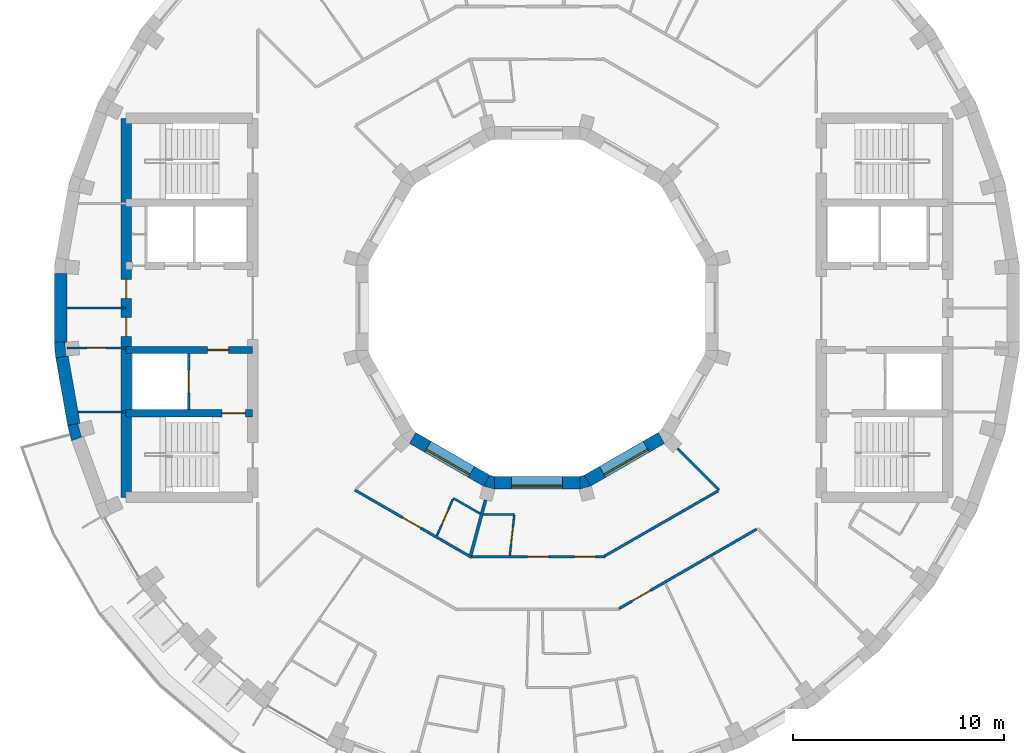
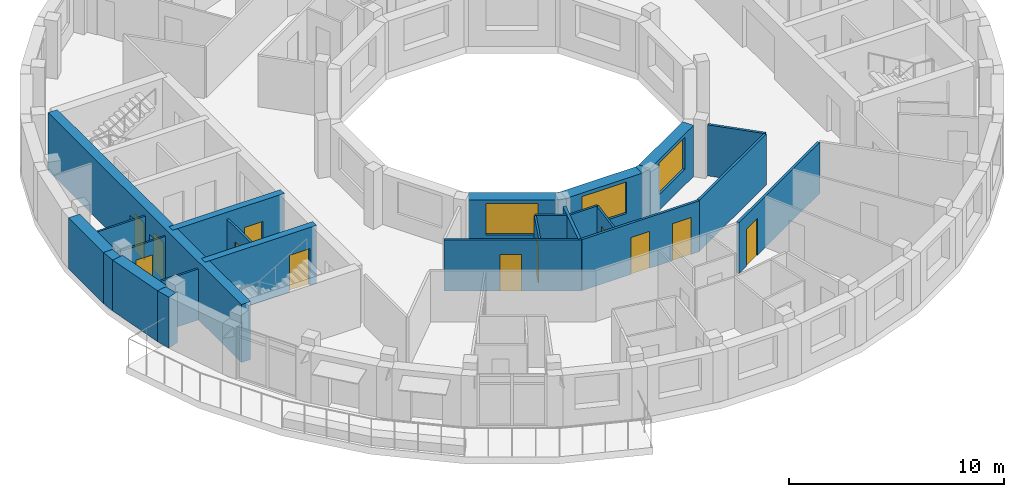
# One storey, part 5 of 12: 26 walls, 12 doors, 3 windows, 15 openings.
"""IFC4 building model written with IfcOpenShell, lengths in metres."""

import ifcopenshell
import ifcopenshell.guid

model = None  # the IFC model being written
_history = None  # IfcOwnerHistory: only IFC2X3 demands one
_inside = {}  # id of a spatial element -> (the spatial element, [elements in it])
_under = {}  # id of a project, library or spatial element -> (it, [spatial elements below it])
_declared = {}  # id of a project -> (the project, [libraries it declares])
_typed = {}  # id of a type object -> (the type object, [elements of that type])
_made_of = {}  # id of a material, layer set ... -> (it, [elements and type objects made of it])


def new_model(schema):
    """Start an empty IFC model of exactly this schema.

    Asked for "IFC4X3", IfcOpenShell would pick the latest addendum, in which some entities
    have other attributes; the version numbers below select the first issue.
    IFC2X3 requires an IfcOwnerHistory on every rooted entity: one is made here for all.
    """
    global model, _history
    if schema == "IFC4X3":
        model = ifcopenshell.file(schema_version=(4, 3, 0, 0))
    else:
        model = ifcopenshell.file(schema=schema)
    _inside.clear()
    _under.clear()
    _declared.clear()
    _typed.clear()
    _made_of.clear()
    _history = None
    if model.schema == "IFC2X3":
        org = make("IfcOrganization", Name="unknown")
        user = make(
            "IfcPersonAndOrganization",
            ThePerson=make("IfcPerson", FamilyName="unknown"),
            TheOrganization=org,
        )
        app = make(
            "IfcApplication",
            ApplicationDeveloper=org,
            Version="unknown",
            ApplicationFullName="unknown",
            ApplicationIdentifier="unknown",
        )
        _history = make(
            "IfcOwnerHistory",
            OwningUser=user,
            OwningApplication=app,
            ChangeAction="ADDED",
            CreationDate=0,
        )
    return model


def make(cls, **values):
    """One entity of the class cls with the attributes given. An attribute that is None is left unset."""
    return model.create_entity(
        cls, **{name: value for name, value in values.items() if value is not None}
    )


def rooted(cls, **values):
    """An entity with a GlobalId (a new one), such as an element, a storey or a relation."""
    return make(cls, GlobalId=ifcopenshell.guid.new(), OwnerHistory=_history, **values)


def si_unit(unit_type, name, prefix=None):
    """IfcSIUnit, for example si_unit("LENGTHUNIT", "METRE", prefix="MILLI")."""
    return make("IfcSIUnit", UnitType=unit_type, Prefix=prefix, Name=name)


def assignment(units):
    """IfcUnitAssignment: the units of a project."""
    return None if units is None else make("IfcUnitAssignment", Units=units)


def point(xyz):
    """IfcCartesianPoint."""
    return None if xyz is None else make("IfcCartesianPoint", Coordinates=xyz)


def direction(xyz):
    """IfcDirection."""
    return None if xyz is None else make("IfcDirection", DirectionRatios=xyz)


def frame(location, z_axis=None, x_axis=None):
    """IfcAxis2Placement3D, a coordinate frame: its origin and axes. An axis left out is left unset."""
    return make(
        "IfcAxis2Placement3D",
        Location=point(location),
        Axis=direction(z_axis),
        RefDirection=direction(x_axis),
    )


def frame_2d(location, x_axis=None):
    """IfcAxis2Placement2D, a coordinate frame in the plane: its origin and x axis."""
    return make(
        "IfcAxis2Placement2D", Location=point(location), RefDirection=direction(x_axis)
    )


def origin():
    """The frame at (0, 0, 0) with its axes left unset."""
    return frame((0.0, 0.0, 0.0))


def place(relative_to, where):
    """IfcLocalPlacement: puts the frame where relative to a parent placement (None: the world)."""
    return make(
        "IfcLocalPlacement", PlacementRelTo=relative_to, RelativePlacement=where
    )


def context(
    kind, dimensions, precision=None, world=None, true_north=None, identifier=None
):
    """IfcGeometricRepresentationContext, for example the 3D "Model" context."""
    return make(
        "IfcGeometricRepresentationContext",
        ContextIdentifier=identifier,
        ContextType=kind,
        CoordinateSpaceDimension=dimensions,
        Precision=precision,
        WorldCoordinateSystem=world,
        TrueNorth=true_north,
    )


def subcontext(parent, identifier, kind, view, scale=None):
    """IfcGeometricRepresentationSubContext, for example "Body" below "Model"."""
    return make(
        "IfcGeometricRepresentationSubContext",
        ContextIdentifier=identifier,
        ContextType=kind,
        ParentContext=parent,
        TargetScale=scale,
        TargetView=view,
    )


def project(units=None, contexts=None):
    """IfcProject with its units and contexts."""
    return rooted(
        "IfcProject",
        Name="project",
        RepresentationContexts=contexts,
        UnitsInContext=assignment(units),
    )


def spatial(cls, under=None, at=None, **own):
    """A site, building, storey or space (cls), placed at a placement, below another one or the project."""
    s = rooted(cls, ObjectPlacement=at, **own)
    if under is not None:
        _under.setdefault(under.id(), (under, []))[1].append(s)
    return s


def polyline(points):
    """IfcPolyline through the points."""
    return make("IfcPolyline", Points=[point(p) for p in points])


def profile(cls, at=None, kind="AREA", **sizes):
    """A parametric profile (cls). Its sizes go by their IFC names, for example OverallWidth=200.0."""
    return make(cls, ProfileType=kind, Position=at, **sizes)


def rectangle(**sizes):
    """IfcRectangleProfileDef."""
    return profile("IfcRectangleProfileDef", **sizes)


def outline(outer, holes=None, kind="AREA"):
    """IfcArbitraryClosedProfileDef: a profile drawn as a closed curve; with holes, ...WithVoids."""
    if holes is None:
        return make("IfcArbitraryClosedProfileDef", ProfileType=kind, OuterCurve=outer)
    return make(
        "IfcArbitraryProfileDefWithVoids",
        ProfileType=kind,
        OuterCurve=outer,
        InnerCurves=holes,
    )


def extrude(swept, where, along, depth):
    """IfcExtrudedAreaSolid: the profile swept, set in the frame where, extruded along a direction by depth."""
    return make(
        "IfcExtrudedAreaSolid",
        SweptArea=swept,
        Position=where,
        ExtrudedDirection=direction(along),
        Depth=depth,
    )


def shape(context_of_items, identifier, shape_type, items):
    """IfcShapeRepresentation: the items that make up one representation, for example the "Body"."""
    return make(
        "IfcShapeRepresentation",
        ContextOfItems=context_of_items,
        RepresentationIdentifier=identifier,
        RepresentationType=shape_type,
        Items=items,
    )


def material(Name=None, Category=None):
    """IfcMaterial."""
    return make("IfcMaterial", Name=Name, Category=Category)


def layer(
    of_material, thickness, ventilated=None, Name=None, Category=None, Priority=None
):
    """IfcMaterialLayer: one layer of a wall or slab, of a material (None: an air gap)."""
    return make(
        "IfcMaterialLayer",
        Material=of_material,
        LayerThickness=thickness,
        IsVentilated=ventilated,
        Name=Name,
        Category=Category,
        Priority=Priority,
    )


def layer_set(layers, Name=None):
    """IfcMaterialLayerSet."""
    return make("IfcMaterialLayerSet", MaterialLayers=layers, LayerSetName=Name)


def made_of(thing, what):
    """Note that an element or type object is made of a material, layer set ...; save() writes the relation."""
    if what is not None:
        _made_of.setdefault(what.id(), (what, []))[1].append(thing)
    return thing


def type_object(cls, material=None, **own):
    """A type object (cls), such as IfcWallType, which elements share."""
    return made_of(rooted(cls, **own), material)


def element(
    cls,
    number,
    at=None,
    inside=None,
    cuts=None,
    type_object=None,
    material=None,
    context=None,
    identifier="Body",
    shape_type=None,
    held_by="IfcProductDefinitionShape",
    body=None,
    shapes=None,
    **own,
):
    """One element of the class cls, such as IfcWall. Its Tag is "e" and its number.

    at: its placement. inside: the storey or other place that contains it. cuts: it is an
    opening in that element (IfcRelVoidsElement). A single representation is given by context,
    identifier, shape_type and body (its items); several are given by shapes. held_by: the class
    of the entity that holds the representations. save() writes the other relations.
    """
    e = rooted(cls, Tag="e%d" % number, ObjectPlacement=at, **own)
    if body is not None:
        shapes = [shape(context, identifier, shape_type, body)]
    if shapes is not None:
        e.Representation = make(held_by, Representations=shapes)
    if inside is not None:
        _inside.setdefault(inside.id(), (inside, []))[1].append(e)
    if cuts is not None:
        rooted(
            "IfcRelVoidsElement", RelatingBuildingElement=cuts, RelatedOpeningElement=e
        )
    if type_object is not None:
        _typed.setdefault(type_object.id(), (type_object, []))[1].append(e)
    return made_of(e, material)


def fill(opening, filler):
    """IfcRelFillsElement: the door or window that sits in an opening."""
    return rooted(
        "IfcRelFillsElement",
        RelatingOpeningElement=opening,
        RelatedBuildingElement=filler,
    )


def aggregate(whole, parts):
    """IfcRelAggregates: a whole, such as a stair, and the parts it consists of."""
    return rooted("IfcRelAggregates", RelatingObject=whole, RelatedObjects=parts)


def save(model, path):
    """Write the relations noted so far, then the file.

    IfcRelAggregates (storeys below a building ...), IfcRelContainedInSpatialStructure (elements
    in a storey), IfcRelDefinesByType, IfcRelAssociatesMaterial and IfcRelDeclares: one each for
    every whole, place, type object, material and project.
    """
    for whole, parts in _under.values():
        aggregate(whole, parts)
    for where, things in _inside.values():
        rooted(
            "IfcRelContainedInSpatialStructure",
            RelatedElements=things,
            RelatingStructure=where,
        )
    for kind, things in _typed.values():
        rooted("IfcRelDefinesByType", RelatedObjects=things, RelatingType=kind)
    for what, things in _made_of.values():
        rooted("IfcRelAssociatesMaterial", RelatedObjects=things, RelatingMaterial=what)
    for by, libraries in _declared.values():
        rooted("IfcRelDeclares", RelatingContext=by, RelatedDefinitions=libraries)
    model.write(path)


model = new_model("IFC4")

# Units and contexts
model_context = context("Model", 3, precision=1e-05, world=origin(), true_north=direction((0.0, 1.0)))
body_context = subcontext(model_context, "Body", "Model", "MODEL_VIEW")
ifc_project = project(units=[si_unit("LENGTHUNIT", "METRE"), si_unit("AREAUNIT", "SQUARE_METRE"), si_unit("VOLUMEUNIT", "CUBIC_METRE"), si_unit("PLANEANGLEUNIT", "RADIAN"), si_unit("MASSUNIT", "GRAM", prefix="KILO")], contexts=[model_context])

# Site, building, storey
site_placement = place(None, origin())
site = spatial("IfcSite", under=ifc_project, at=site_placement, CompositionType="ELEMENT")
building_placement = place(site_placement, origin())
building = spatial("IfcBuilding", under=site, at=building_placement, Name="Saqina Gate Tower", CompositionType="ELEMENT")
storey_placement = place(building_placement, frame((0.0, 0.0, 259.39990234375)))
storey = spatial("IfcBuildingStorey", under=building, at=storey_placement, Name="L74", CompositionType="ELEMENT", Elevation=259.39990234375)

# Walls
ifc_material_1 = material(Name="Brick masonry (buff)", Category="masonry")
wall_type_1 = type_object("IfcWallType", Name="BRICK PIER COPING BUFF", PredefinedType="SOLIDWALL", material=ifc_material_1)
wall_1_placement = place(storey_placement, origin())
element("IfcWall", 1, at=wall_1_placement, inside=storey, type_object=wall_type_1, Name="Pier cap L74 column 19", PredefinedType="SOLIDWALL", context=body_context, shape_type="SweptSolid", body=[
    extrude(outline(polyline([(-22.91259765625, -1.625732421875), (-22.8466796875, -2.377685546875), (-22.255859375, -2.2734375), (-22.361083984375, -2.28271484375), (-22.417724609375, -1.635009765625), (-22.3125, -1.625732421875), (-22.91259765625, -1.625732421875)])), origin(), (0.0, 0.0, 1.0), 2.900146484375),
])
wall_2_placement = place(storey_placement, origin())
element("IfcWall", 2, at=wall_2_placement, inside=storey, type_object=wall_type_1, Name="Pier cap L74 column 20", PredefinedType="SOLIDWALL", context=body_context, shape_type="SweptSolid", body=[
    extrude(outline(polyline([(-22.0869140625, -6.30859375), (-21.52294921875, -6.103515625), (-21.625, -6.130859375), (-21.793212890625, -5.5029296875), (-21.691162109375, -5.4755859375), (-22.281982421875, -5.579833984375), (-22.0869140625, -6.30859375)])), origin(), (0.0, 0.0, 1.0), 2.900146484375),
])
ifc_material_2 = material(Name="Gypsum board on steel studs", Category="steel")
ifc_layer_1 = layer(ifc_material_2, 0.10009765625)
ifc_layer_set_1 = layer_set([ifc_layer_1], Name="CORE PARTITION")
wall_type_2 = type_object("IfcWallType", Name="CORE PARTITION", PredefinedType="PARTITIONING", material=ifc_layer_set_1)
wall_3_placement = place(storey_placement, frame((-19.5, -4.949951171875, 0.0), z_axis=(0.0, 0.0, 1.0), x_axis=(-1.0, 0.0, 0.0)))
element("IfcWall", 3, at=wall_3_placement, inside=storey, type_object=wall_type_2, Name="L74-CP-W03", PredefinedType="PARTITIONING", context=body_context, shape_type="SweptSolid", body=[
    extrude(rectangle(XDim=2.283935546875, YDim=0.10009765625, at=frame_2d((1.14208984375, 0.0))), origin(), (0.0, 0.0, 1.0), 2.900146484375),
])

# Wall, opening, door
wall_4_placement = place(storey_placement, frame((-19.5, -1.89990234375, 0.0), z_axis=(0.0, 0.0, 1.0), x_axis=(-1.0, 0.0, 0.0)))
wall_4 = element("IfcWall", 4, at=wall_4_placement, inside=storey, type_object=wall_type_2, Name="L74-CP-W04", PredefinedType="PARTITIONING", context=body_context, shape_type="SweptSolid", body=[
    extrude(rectangle(XDim=2.8125, YDim=0.10009765625, at=frame_2d((1.40625, 0.0))), origin(), (0.0, 0.0, 1.0), 2.900146484375),
])
opening_1_placement = place(wall_4_placement, frame((0.956298828125, 0.0, 0.0)))
opening_1 = element("IfcOpeningElement", 5, at=opening_1_placement, cuts=wall_4, Name="Opening G22-D103", PredefinedType="OPENING", context=body_context, shape_type="SweptSolid", body=[
    extrude(rectangle(XDim=0.89990234375, YDim=2.10009765625, at=frame_2d((0.449951171875, 1.050048828125))), frame((0.0, 0.06201171875, 0.0), z_axis=(0.0, -1.0, 0.0), x_axis=(1.0, 0.0, 0.0)), (0.0, 0.0, 1.0), 0.1240234375),
])
ifc_material_3 = material(Name="Steel-framed fire door leaf, EI 60", Category="steel")
door_type_1 = type_object("IfcDoorType", Name="SERVICE ROOM DOOR 900", OperationType="SINGLE_SWING_LEFT", PredefinedType="DOOR", material=ifc_material_3)
door_1_placement = place(opening_1_placement, origin())
door_1 = element("IfcDoor", 6, at=door_1_placement, inside=storey, type_object=door_type_1, Name="L74-CD-W14", OperationType="SINGLE_SWING_RIGHT", OverallHeight=2.10009765625, OverallWidth=0.89990234375, PredefinedType="DOOR", context=body_context, shape_type="SweptSolid", body=[
    extrude(rectangle(XDim=0.89990234375, YDim=2.10009765625, at=frame_2d((0.449951171875, 1.050048828125))), frame((0.0, 0.02490234375, 0.0), z_axis=(0.0, -1.0, 0.0), x_axis=(1.0, 0.0, 0.0)), (0.0, 0.0, 1.0), 0.050048828125),
])
fill(opening_1, door_1)

# Walls
wall_5_placement = place(storey_placement, frame((-19.5, 0.0, 0.0), z_axis=(0.0, 0.0, 1.0), x_axis=(-1.0, 0.0, 0.0)))
element("IfcWall", 7, at=wall_5_placement, inside=storey, type_object=wall_type_2, Name="L74-CP-W05", PredefinedType="PARTITIONING", context=body_context, shape_type="SweptSolid", body=[
    extrude(rectangle(XDim=2.8125, YDim=0.10009765625, at=frame_2d((1.40625, 0.0))), origin(), (0.0, 0.0, 1.0), 2.900146484375),
])
ifc_material_4 = material(Name="Glazed ceramic tile", Category="ceramic")
ifc_layer_2 = layer(ifc_material_4, 0.60009765625)
ifc_layer_set_2 = layer_set([ifc_layer_2], Name="FW-TILE")
wall_type_3 = type_object("IfcWallType", Name="FW-TILE", PredefinedType="SOLIDWALL", material=ifc_layer_set_2)
wall_6_placement = place(storey_placement, frame((-22.55126953125, -2.325439453125, 0.0), z_axis=(0.0, 0.0, 1.0), x_axis=(0.173656842178, -0.984806225186, 0.0)))
element("IfcWall", 8, at=wall_6_placement, inside=storey, type_object=wall_type_3, Name="Facade wall L74 facet 19", PredefinedType="SOLIDWALL", context=body_context, shape_type="SweptSolid", body=[
    extrude(rectangle(XDim=3.251708984375, YDim=0.60009765625, at=frame_2d((1.6259765625, 0.0))), origin(), (0.0, 0.0, 1.0), 2.900146484375),
])
ifc_material_5 = material(Name="Glazed ceramic tile (white)", Category="ceramic")
ifc_layer_3 = layer(ifc_material_5, 0.60009765625)
ifc_layer_set_3 = layer_set([ifc_layer_3], Name="FW-TILE-WH")
wall_type_4 = type_object("IfcWallType", Name="FW-TILE-WH", PredefinedType="SOLIDWALL", material=ifc_layer_set_3)
wall_7_placement = place(storey_placement, frame((-22.612548828125, 1.625732421875, 0.0), z_axis=(0.0, 0.0, 1.0), x_axis=(0.0, -1.0, 0.0)))
element("IfcWall", 9, at=wall_7_placement, inside=storey, type_object=wall_type_4, Name="Facade wall L74 facet 18", PredefinedType="SOLIDWALL", context=body_context, shape_type="SweptSolid", body=[
    extrude(rectangle(XDim=3.25146484375, YDim=0.60009765625, at=frame_2d((1.625732421875, 0.0))), origin(), (0.0, 0.0, 1.0), 2.900146484375),
])

# Wall, opening, window
ifc_material_6 = material(Name="Glazed ceramic tile", Category="ceramic")
ifc_layer_4 = layer(ifc_material_6, 0.60009765625)
ifc_layer_set_4 = layer_set([ifc_layer_4], Name="IW-TILE")
wall_type_5 = type_object("IfcWallType", Name="IW-TILE", PredefinedType="SOLIDWALL", material=ifc_layer_set_4)
wall_8_placement = place(storey_placement, frame((-5.907470703125, -6.17333984375, 0.0), z_axis=(0.0, 0.0, 1.0), x_axis=(0.866028316509, -0.499994954979, 0.0)))
wall_8 = element("IfcWall", 10, at=wall_8_placement, inside=storey, type_object=wall_type_5, Name="Well wall L74 facet 8", PredefinedType="SOLIDWALL", context=body_context, shape_type="SweptSolid", body=[
    extrude(rectangle(XDim=4.05859375, YDim=0.60009765625, at=frame_2d((2.029296875, 0.0))), origin(), (0.0, 0.0, 1.0), 2.900146484375),
])
opening_2_placement = place(wall_8_placement, frame((0.829345703125, 0.0, 0.89990234375)))
opening_2 = element("IfcOpeningElement", 11, at=opening_2_placement, cuts=wall_8, Name="Opening G22-W30", PredefinedType="OPENING", context=body_context, shape_type="SweptSolid", body=[
    extrude(rectangle(XDim=2.39990234375, YDim=1.800048828125, at=frame_2d((1.199951171875, 0.89990234375))), frame((0.0, 0.31201171875, 0.0), z_axis=(0.0, -1.0, 0.0), x_axis=(1.0, 0.0, 0.0)), (0.0, 0.0, 1.0), 0.6240234375),
])
ifc_material_7 = material(Name="Aluminium glazing", Category="aluminium")
window_type = type_object("IfcWindowType", Name="WN-W", PartitioningType="SINGLE_PANEL", PredefinedType="WINDOW", material=ifc_material_7)
window_1_placement = place(opening_2_placement, origin())
window_1 = element("IfcWindow", 12, at=window_1_placement, inside=storey, type_object=window_type, Name="Well window L74 facet 8", OverallHeight=1.800048828125, OverallWidth=2.39990234375, PartitioningType="SINGLE_PANEL", PredefinedType="WINDOW", context=body_context, shape_type="SweptSolid", body=[
    extrude(rectangle(XDim=2.39990234375, YDim=1.800048828125, at=frame_2d((1.199951171875, 0.89990234375))), frame((0.0, -0.119873046875, 0.0), z_axis=(0.0, -1.0, 0.0), x_axis=(1.0, 0.0, 0.0)), (0.0, 0.0, 1.0), 0.06005859375),
])
fill(opening_2, window_1)

wall_9_placement = place(storey_placement, frame((-2.029296875, -8.300048828125, 0.0), z_axis=(0.0, 0.0, 1.0), x_axis=(1.0, 0.0, 0.0)))
wall_9 = element("IfcWall", 13, at=wall_9_placement, inside=storey, type_object=wall_type_5, Name="Well wall L74 facet 9", PredefinedType="SOLIDWALL", context=body_context, shape_type="SweptSolid", body=[
    extrude(rectangle(XDim=4.05859375, YDim=0.60009765625, at=frame_2d((2.029296875, 0.0))), origin(), (0.0, 0.0, 1.0), 2.900146484375),
])
opening_3_placement = place(wall_9_placement, frame((0.829345703125, 0.0, 0.89990234375)))
opening_3 = element("IfcOpeningElement", 14, at=opening_3_placement, cuts=wall_9, Name="Opening G22-W31", PredefinedType="OPENING", context=body_context, shape_type="SweptSolid", body=[
    extrude(rectangle(XDim=2.39990234375, YDim=1.800048828125, at=frame_2d((1.199951171875, 0.89990234375))), frame((0.0, 0.31201171875, 0.0), z_axis=(0.0, -1.0, 0.0), x_axis=(1.0, 0.0, 0.0)), (0.0, 0.0, 1.0), 0.6240234375),
])
window_2_placement = place(opening_3_placement, origin())
window_2 = element("IfcWindow", 15, at=window_2_placement, inside=storey, type_object=window_type, Name="Well window L74 facet 9", OverallHeight=1.800048828125, OverallWidth=2.39990234375, PartitioningType="SINGLE_PANEL", PredefinedType="WINDOW", context=body_context, shape_type="SweptSolid", body=[
    extrude(rectangle(XDim=2.39990234375, YDim=1.800048828125, at=frame_2d((1.199951171875, 0.89990234375))), frame((0.0, -0.119873046875, 0.0), z_axis=(0.0, -1.0, 0.0), x_axis=(1.0, 0.0, 0.0)), (0.0, 0.0, 1.0), 0.06005859375),
])
fill(opening_3, window_2)

wall_10_placement = place(storey_placement, frame((2.392578125, -8.20263671875, 0.0), z_axis=(0.0, 0.0, 1.0), x_axis=(0.866028316509, 0.499994954979, 0.0)))
wall_10 = element("IfcWall", 16, at=wall_10_placement, inside=storey, type_object=wall_type_5, Name="Well wall L74 facet 10", PredefinedType="SOLIDWALL", context=body_context, shape_type="SweptSolid", body=[
    extrude(rectangle(XDim=4.05859375, YDim=0.60009765625, at=frame_2d((2.029296875, 0.0))), origin(), (0.0, 0.0, 1.0), 2.900146484375),
])
opening_4_placement = place(wall_10_placement, frame((0.829345703125, 0.0, 0.89990234375)))
opening_4 = element("IfcOpeningElement", 17, at=opening_4_placement, cuts=wall_10, Name="Opening G22-W32", PredefinedType="OPENING", context=body_context, shape_type="SweptSolid", body=[
    extrude(rectangle(XDim=2.39990234375, YDim=1.800048828125, at=frame_2d((1.199951171875, 0.89990234375))), frame((0.0, 0.31201171875, 0.0), z_axis=(0.0, -1.0, 0.0), x_axis=(1.0, 0.0, 0.0)), (0.0, 0.0, 1.0), 0.6240234375),
])
window_3_placement = place(opening_4_placement, origin())
window_3 = element("IfcWindow", 18, at=window_3_placement, inside=storey, type_object=window_type, Name="Well window L74 facet 10", OverallHeight=1.800048828125, OverallWidth=2.39990234375, PartitioningType="SINGLE_PANEL", PredefinedType="WINDOW", context=body_context, shape_type="SweptSolid", body=[
    extrude(rectangle(XDim=2.39990234375, YDim=1.800048828125, at=frame_2d((1.199951171875, 0.89990234375))), frame((0.0, -0.119873046875, 0.0), z_axis=(0.0, -1.0, 0.0), x_axis=(1.0, 0.0, 0.0)), (0.0, 0.0, 1.0), 0.06005859375),
])
fill(opening_4, window_3)

# Walls
ifc_material_8 = material(Name="Gypsum board on steel studs, 100 mm", Category="steel")
ifc_layer_5 = layer(ifc_material_8, 0.10009765625)
ifc_layer_set_5 = layer_set([ifc_layer_5], Name="PARTITION 100")
wall_type_6 = type_object("IfcWallType", Name="PARTITION 100", PredefinedType="PARTITIONING", material=ifc_layer_set_5)
wall_11_placement = place(storey_placement, frame((-3.971923828125, -9.033935546875, 0.0), z_axis=(0.0, 0.0, 1.0), x_axis=(0.865841190759, -0.500318930668, 0.0)))
element("IfcWall", 19, at=wall_11_placement, inside=storey, type_object=wall_type_6, Name="PARTITION PW3-18", PredefinedType="PARTITIONING", context=body_context, shape_type="SweptSolid", body=[
    extrude(rectangle(XDim=1.47607421875, YDim=0.10009765625, at=frame_2d((0.738037109375, 0.0))), origin(), (0.0, 0.0, 1.0), 2.900146484375),
])
wall_12_placement = place(storey_placement, frame((-2.553955078125, -9.81005859375, 0.0), z_axis=(0.0, 0.0, 1.0), x_axis=(1.0, 0.0, 0.0)))
element("IfcWall", 20, at=wall_12_placement, inside=storey, type_object=wall_type_6, Name="PARTITION PW3-28", PredefinedType="PARTITIONING", context=body_context, shape_type="SweptSolid", body=[
    extrude(rectangle(XDim=1.47705078125, YDim=0.10009765625, at=frame_2d((0.738525390625, 0.0))), origin(), (0.0, 0.0, 1.0), 2.900146484375),
])

# Wall, opening, door
wall_13_placement = place(storey_placement, frame((-4.7568359375, -10.81884765625, 0.0), z_axis=(0.0, 0.0, 1.0), x_axis=(0.402510340415, 0.915415438945, 0.0)))
wall_13 = element("IfcWall", 21, at=wall_13_placement, inside=storey, type_object=wall_type_6, Name="PARTITION PW3-47", PredefinedType="PARTITIONING", context=body_context, shape_type="SweptSolid", body=[
    extrude(rectangle(XDim=1.899658203125, YDim=0.10009765625, at=frame_2d((0.94970703125, 0.0))), origin(), (0.0, 0.0, 1.0), 2.900146484375),
])
opening_5_placement = place(wall_13_placement, frame((0.543701171875, 0.0, 0.0)))
opening_5 = element("IfcOpeningElement", 22, at=opening_5_placement, cuts=wall_13, Name="Opening G22-D30", PredefinedType="OPENING", context=body_context, shape_type="SweptSolid", body=[
    extrude(rectangle(XDim=0.800048828125, YDim=2.10009765625, at=frame_2d((0.39990234375, 1.050048828125))), frame((0.0, 0.06201171875, 0.0), z_axis=(0.0, -1.0, 0.0), x_axis=(1.0, 0.0, 0.0)), (0.0, 0.0, 1.0), 0.1240234375),
])
ifc_material_9 = material(Name="Timber door leaf, 800 mm", Category="wood")
door_type_2 = type_object("IfcDoorType", Name="DOOR 800 TIMBER", OperationType="SINGLE_SWING_LEFT", PredefinedType="DOOR", material=ifc_material_9)
door_2_placement = place(opening_5_placement, origin())
door_2 = element("IfcDoor", 23, at=door_2_placement, inside=storey, type_object=door_type_2, Name="DOOR G22-D30", OperationType="SINGLE_SWING_LEFT", OverallHeight=2.10009765625, OverallWidth=0.800048828125, PredefinedType="DOOR", context=body_context, shape_type="SweptSolid", body=[
    extrude(rectangle(XDim=0.800048828125, YDim=2.10009765625, at=frame_2d((0.39990234375, 1.050048828125))), frame((0.0, 0.02490234375, 0.0), z_axis=(0.0, -1.0, 0.0), x_axis=(1.0, 0.0, 0.0)), (0.0, 0.0, 1.0), 0.050048828125),
])
fill(opening_5, door_2)

wall_14_placement = place(storey_placement, frame((-1.290283203125, -11.747802734375, 0.0), z_axis=(0.0, 0.0, 1.0), x_axis=(0.109373495701, 0.99400072356, 0.0)))
wall_14 = element("IfcWall", 24, at=wall_14_placement, inside=storey, type_object=wall_type_6, Name="PARTITION PW3-52", PredefinedType="PARTITIONING", context=body_context, shape_type="SweptSolid", body=[
    extrude(rectangle(XDim=1.899658203125, YDim=0.10009765625, at=frame_2d((0.94970703125, 0.0))), origin(), (0.0, 0.0, 1.0), 2.900146484375),
])
opening_6_placement = place(wall_14_placement, frame((0.54345703125, 0.0, 0.0)))
opening_6 = element("IfcOpeningElement", 25, at=opening_6_placement, cuts=wall_14, Name="Opening G22-D32", PredefinedType="OPENING", context=body_context, shape_type="SweptSolid", body=[
    extrude(rectangle(XDim=0.800048828125, YDim=2.10009765625, at=frame_2d((0.39990234375, 1.050048828125))), frame((0.0, 0.06201171875, 0.0), z_axis=(0.0, -1.0, 0.0), x_axis=(1.0, 0.0, 0.0)), (0.0, 0.0, 1.0), 0.1240234375),
])
door_3_placement = place(opening_6_placement, frame((0.800048828125, 0.0, 0.0), z_axis=(0.0, 0.0, 1.0), x_axis=(-1.0, 0.0, 0.0)))
door_3 = element("IfcDoor", 26, at=door_3_placement, inside=storey, type_object=door_type_2, Name="DOOR G22-D32", OperationType="SINGLE_SWING_RIGHT", OverallHeight=2.10009765625, OverallWidth=0.800048828125, PredefinedType="DOOR", context=body_context, shape_type="SweptSolid", body=[
    extrude(rectangle(XDim=0.800048828125, YDim=2.10009765625, at=frame_2d((0.39990234375, 1.050048828125))), frame((0.0, 0.02490234375, 0.0), z_axis=(0.0, -1.0, 0.0), x_axis=(1.0, 0.0, 0.0)), (0.0, 0.0, 1.0), 0.050048828125),
])
fill(opening_6, door_3)

# Wall
ifc_material_10 = material(Name="Gypsum board on steel studs, 125 mm, fire rated", Category="steel")
ifc_layer_6 = layer(ifc_material_10, 0.125)
ifc_layer_set_6 = layer_set([ifc_layer_6], Name="PARTITION EI 30 125")
wall_type_7 = type_object("IfcWallType", Name="PARTITION EI 30 125", PredefinedType="PARTITIONING", material=ifc_layer_set_6)
wall_15_placement = place(storey_placement, frame((6.6767578125, -6.6767578125, 0.0), z_axis=(0.0, 0.0, 1.0), x_axis=(0.707106781187, -0.707106781187, 0.0)))
element("IfcWall", 27, at=wall_15_placement, inside=storey, type_object=wall_type_7, Name="PARTITION PW1-06", PredefinedType="PARTITIONING", context=body_context, shape_type="SweptSolid", body=[
    extrude(rectangle(XDim=2.784912109375, YDim=0.125, at=frame_2d((1.392578125, 0.0))), origin(), (0.0, 0.0, 1.0), 2.900146484375),
])

# Wall, opening, door
wall_16_placement = place(storey_placement, frame((-8.64599609375, -8.64599609375, 0.0), z_axis=(0.0, 0.0, 1.0), x_axis=(0.866085253322, -0.49989632323, 0.0)))
wall_16 = element("IfcWall", 28, at=wall_16_placement, inside=storey, type_object=wall_type_7, Name="PARTITION PW1-12", PredefinedType="PARTITIONING", context=body_context, shape_type="SweptSolid", body=[
    extrude(rectangle(XDim=6.401611328125, YDim=0.125, at=frame_2d((3.20068359375, 0.0))), origin(), (0.0, 0.0, 1.0), 2.900146484375),
])
opening_7_placement = place(wall_16_placement, frame((2.614013671875, 0.0, 0.0)))
opening_7 = element("IfcOpeningElement", 29, at=opening_7_placement, cuts=wall_16, Name="Opening G22-D29", PredefinedType="OPENING", context=body_context, shape_type="SweptSolid", body=[
    extrude(rectangle(XDim=1.0, YDim=2.10009765625, at=frame_2d((0.5, 1.050048828125))), frame((0.0, 0.074462890625, 0.0), z_axis=(0.0, -1.0, 0.0), x_axis=(1.0, 0.0, 0.0)), (0.0, 0.0, 1.0), 0.14892578125),
])
ifc_material_11 = material(Name="Fire door leaf EI 30, 1000 mm")
door_type_3 = type_object("IfcDoorType", Name="DOOR 1000 EI 30", OperationType="SINGLE_SWING_LEFT", PredefinedType="DOOR", material=ifc_material_11)
door_4_placement = place(opening_7_placement, origin())
door_4 = element("IfcDoor", 30, at=door_4_placement, inside=storey, type_object=door_type_3, Name="DOOR G22-D29", OperationType="SINGLE_SWING_LEFT", OverallHeight=2.10009765625, OverallWidth=1.0, PredefinedType="DOOR", context=body_context, shape_type="SweptSolid", body=[
    extrude(rectangle(XDim=1.0, YDim=2.10009765625, at=frame_2d((0.5, 1.050048828125))), frame((0.0, 0.02490234375, 0.0), z_axis=(0.0, -1.0, 0.0), x_axis=(1.0, 0.0, 0.0)), (0.0, 0.0, 1.0), 0.050048828125),
])
fill(opening_7, door_4)

# Wall, openings, doors
wall_17_placement = place(storey_placement, frame((-3.1015625, -11.81005859375, 0.0), z_axis=(0.0, 0.0, 1.0), x_axis=(1.0, 0.0, 0.0)))
wall_17 = element("IfcWall", 31, at=wall_17_placement, inside=storey, type_object=wall_type_7, Name="PARTITION PW1-18", PredefinedType="PARTITIONING", context=body_context, shape_type="SweptSolid", body=[
    extrude(rectangle(XDim=6.337646484375, YDim=0.125, at=frame_2d((3.1689453125, 0.0))), origin(), (0.0, 0.0, 1.0), 2.900146484375),
])
opening_8_placement = place(wall_17_placement, frame((2.652099609375, 0.0, 0.0)))
opening_8 = element("IfcOpeningElement", 32, at=opening_8_placement, cuts=wall_17, Name="Opening G22-D35", PredefinedType="OPENING", context=body_context, shape_type="SweptSolid", body=[
    extrude(rectangle(XDim=1.0, YDim=2.10009765625, at=frame_2d((0.5, 1.050048828125))), frame((0.0, 0.074462890625, 0.0), z_axis=(0.0, -1.0, 0.0), x_axis=(1.0, 0.0, 0.0)), (0.0, 0.0, 1.0), 0.14892578125),
])
opening_9_placement = place(wall_17_placement, frame((4.883056640625, 0.0, 0.0)))
opening_9 = element("IfcOpeningElement", 33, at=opening_9_placement, cuts=wall_17, Name="Opening G22-D38", PredefinedType="OPENING", context=body_context, shape_type="SweptSolid", body=[
    extrude(rectangle(XDim=1.0, YDim=2.10009765625, at=frame_2d((0.5, 1.050048828125))), frame((0.0, 0.074462890625, 0.0), z_axis=(0.0, -1.0, 0.0), x_axis=(1.0, 0.0, 0.0)), (0.0, 0.0, 1.0), 0.14892578125),
])
door_5_placement = place(opening_8_placement, origin())
door_5 = element("IfcDoor", 34, at=door_5_placement, inside=storey, type_object=door_type_3, Name="DOOR G22-D35", OperationType="SINGLE_SWING_LEFT", OverallHeight=2.10009765625, OverallWidth=1.0, PredefinedType="DOOR", context=body_context, shape_type="SweptSolid", body=[
    extrude(rectangle(XDim=1.0, YDim=2.10009765625, at=frame_2d((0.5, 1.050048828125))), frame((0.0, 0.02490234375, 0.0), z_axis=(0.0, -1.0, 0.0), x_axis=(1.0, 0.0, 0.0)), (0.0, 0.0, 1.0), 0.050048828125),
])
fill(opening_8, door_5)
door_6_placement = place(opening_9_placement, origin())
door_6 = element("IfcDoor", 35, at=door_6_placement, inside=storey, type_object=door_type_3, Name="DOOR G22-D38", OperationType="SINGLE_SWING_RIGHT", OverallHeight=2.10009765625, OverallWidth=1.0, PredefinedType="DOOR", context=body_context, shape_type="SweptSolid", body=[
    extrude(rectangle(XDim=1.0, YDim=2.10009765625, at=frame_2d((0.5, 1.050048828125))), frame((0.0, 0.02490234375, 0.0), z_axis=(0.0, -1.0, 0.0), x_axis=(1.0, 0.0, 0.0)), (0.0, 0.0, 1.0), 0.050048828125),
])
fill(opening_9, door_6)

# Wall
wall_18_placement = place(storey_placement, frame((3.216064453125, -11.775146484375, 0.0), z_axis=(0.0, 0.0, 1.0), x_axis=(0.86736732566, 0.497668486422, 0.0)))
element("IfcWall", 36, at=wall_18_placement, inside=storey, type_object=wall_type_7, Name="PARTITION PW1-25", PredefinedType="PARTITIONING", context=body_context, shape_type="SweptSolid", body=[
    extrude(rectangle(XDim=6.2021484375, YDim=0.125, at=frame_2d((3.10107421875, 0.0))), origin(), (0.0, 0.0, 1.0), 2.900146484375),
])

# Wall, opening, door
wall_19_placement = place(storey_placement, frame((3.88818359375, -14.27880859375, 0.0), z_axis=(0.0, 0.0, 1.0), x_axis=(0.866068111199, 0.499926021291, 0.0)))
wall_19 = element("IfcWall", 37, at=wall_19_placement, inside=storey, type_object=wall_type_7, Name="PARTITION PW1-26", PredefinedType="PARTITIONING", context=body_context, shape_type="SweptSolid", body=[
    extrude(rectangle(XDim=7.544189453125, YDim=0.125, at=frame_2d((3.77197265625, 0.0))), origin(), (0.0, 0.0, 1.0), 2.900146484375),
])
opening_10_placement = place(wall_19_placement, frame((0.72705078125, 0.0, 0.0)))
opening_10 = element("IfcOpeningElement", 38, at=opening_10_placement, cuts=wall_19, Name="Opening G22-D40", PredefinedType="OPENING", context=body_context, shape_type="SweptSolid", body=[
    extrude(rectangle(XDim=1.0, YDim=2.10009765625, at=frame_2d((0.5, 1.050048828125))), frame((0.0, 0.074462890625, 0.0), z_axis=(0.0, -1.0, 0.0), x_axis=(1.0, 0.0, 0.0)), (0.0, 0.0, 1.0), 0.14892578125),
])
door_7_placement = place(opening_10_placement, frame((1.0, 0.0, 0.0), z_axis=(0.0, 0.0, 1.0), x_axis=(-1.0, 0.0, 0.0)))
door_7 = element("IfcDoor", 39, at=door_7_placement, inside=storey, type_object=door_type_3, Name="DOOR G22-D40", OperationType="SINGLE_SWING_RIGHT", OverallHeight=2.10009765625, OverallWidth=1.0, PredefinedType="DOOR", context=body_context, shape_type="SweptSolid", body=[
    extrude(rectangle(XDim=1.0, YDim=2.10009765625, at=frame_2d((0.5, 1.050048828125))), frame((0.0, 0.02490234375, 0.0), z_axis=(0.0, -1.0, 0.0), x_axis=(1.0, 0.0, 0.0)), (0.0, 0.0, 1.0), 0.050048828125),
])
fill(opening_10, door_7)

# Wall
ifc_material_12 = material(Name="Gypsum board on steel studs, 150 mm, fire rated", Category="steel")
ifc_layer_7 = layer(ifc_material_12, 0.14990234375)
ifc_layer_set_7 = layer_set([ifc_layer_7], Name="PARTITION EI 60 150")
wall_type_8 = type_object("IfcWallType", Name="PARTITION EI 60 150", PredefinedType="PARTITIONING", material=ifc_layer_set_7)
wall_20_placement = place(storey_placement, frame((-3.14794921875, -11.74951171875, 0.0), z_axis=(0.0, 0.0, 1.0), x_axis=(0.258438641581, 0.96602767483, 0.0)))
element("IfcWall", 40, at=wall_20_placement, inside=storey, type_object=wall_type_8, Name="PARTITION PW2-05", PredefinedType="PARTITIONING", context=body_context, shape_type="SweptSolid", body=[
    extrude(rectangle(XDim=2.7216796875, YDim=0.14990234375, at=frame_2d((1.36083984375, 0.0))), origin(), (0.0, 0.0, 1.0), 2.900146484375),
])

# Wall, opening, door
ifc_material_13 = material(Name="Autoclaved aerated concrete block", Category="concrete")
ifc_layer_8 = layer(ifc_material_13, 0.1201171875)
ifc_layer_set_8 = layer_set([ifc_layer_8], Name="SHAFT PARTITION")
wall_type_9 = type_object("IfcWallType", Name="SHAFT PARTITION", PredefinedType="PARTITIONING", material=ifc_layer_set_8)
wall_21_placement = place(storey_placement, frame((-16.530029296875, -4.824951171875, 0.0), z_axis=(0.0, 0.0, 1.0), x_axis=(0.0, 1.0, 0.0)))
wall_21 = element("IfcWall", 41, at=wall_21_placement, inside=storey, type_object=wall_type_9, Name="L74-CP-W08", PredefinedType="PARTITIONING", context=body_context, shape_type="SweptSolid", body=[
    extrude(rectangle(XDim=2.64990234375, YDim=0.1201171875, at=frame_2d((1.324951171875, 0.0))), origin(), (0.0, 0.0, 1.0), 2.900146484375),
])
opening_11_placement = place(wall_21_placement, frame((0.77490234375, 0.0, 0.0)))
opening_11 = element("IfcOpeningElement", 42, at=opening_11_placement, cuts=wall_21, Name="Opening G22-LD6", PredefinedType="OPENING", context=body_context, shape_type="SweptSolid", body=[
    extrude(rectangle(XDim=1.10009765625, YDim=2.10009765625, at=frame_2d((0.550048828125, 1.050048828125))), frame((0.0, 0.072021484375, 0.0), z_axis=(0.0, -1.0, 0.0), x_axis=(1.0, 0.0, 0.0)), (0.0, 0.0, 1.0), 0.14404296875),
])
ifc_material_14 = material(Name="Stainless steel", Category="steel")
door_type_4 = type_object("IfcDoorType", Name="LANDING DOOR", OperationType="DOUBLE_DOOR_SLIDING", PredefinedType="DOOR", material=ifc_material_14)
door_8_placement = place(opening_11_placement, origin())
door_8 = element("IfcDoor", 43, at=door_8_placement, inside=storey, type_object=door_type_4, Name="LANDING DOOR FF2", OperationType="DOUBLE_DOOR_SLIDING", OverallHeight=2.10009765625, OverallWidth=1.10009765625, PredefinedType="DOOR", context=body_context, shape_type="SweptSolid", body=[
    extrude(rectangle(XDim=1.10009765625, YDim=2.10009765625, at=frame_2d((0.550048828125, 1.050048828125))), frame((0.0, 0.02490234375, 0.0), z_axis=(0.0, -1.0, 0.0), x_axis=(1.0, 0.0, 0.0)), (0.0, 0.0, 1.0), 0.050048828125),
])
fill(opening_11, door_8)

ifc_material_15 = material(Name="Concrete C60/75", Category="concrete")
ifc_layer_9 = layer(ifc_material_15, 0.35009765625)
ifc_layer_set_9 = layer_set([ifc_layer_9], Name="Concrete C60/75")
wall_type_10 = type_object("IfcWallType", Name="STR-CORE WALL-D-I", PredefinedType="SHEAR", material=ifc_layer_set_9)
wall_22_placement = place(storey_placement, frame((-13.5, -5.0, 0.0), z_axis=(0.0, 0.0, 1.0), x_axis=(-1.0, 0.0, 0.0)))
wall_22 = element("IfcWall", 44, at=wall_22_placement, inside=storey, type_object=wall_type_10, Name="CORE WALL L74 W-X2", PredefinedType="SHEAR", context=body_context, shape_type="SweptSolid", body=[
    extrude(rectangle(XDim=6.0, YDim=0.35009765625, at=frame_2d((3.0, 0.0))), origin(), (0.0, 0.0, 1.0), 3.300048828125),
])
opening_12_placement = place(wall_22_placement, frame((0.35009765625, 0.0, 0.0)))
opening_12 = element("IfcOpeningElement", 45, at=opening_12_placement, cuts=wall_22, Name="Opening G22-D106", PredefinedType="OPENING", context=body_context, shape_type="SweptSolid", body=[
    extrude(rectangle(XDim=1.10009765625, YDim=2.10009765625, at=frame_2d((0.550048828125, 1.050048828125))), frame((0.0, 0.18701171875, 0.0), z_axis=(0.0, -1.0, 0.0), x_axis=(1.0, 0.0, 0.0)), (0.0, 0.0, 1.0), 0.3740234375),
])
ifc_material_16 = material(Name="Steel", Category="steel")
door_type_5 = type_object("IfcDoorType", Name="FIRE LOBBY DOOR EI 60 WIDE", OperationType="SINGLE_SWING_LEFT", PredefinedType="DOOR", material=ifc_material_16)
door_9_placement = place(opening_12_placement, origin())
door_9 = element("IfcDoor", 46, at=door_9_placement, inside=storey, type_object=door_type_5, Name="L74-CD-W17", OperationType="SINGLE_SWING_LEFT", OverallHeight=2.10009765625, OverallWidth=1.10009765625, PredefinedType="DOOR", context=body_context, shape_type="SweptSolid", body=[
    extrude(rectangle(XDim=1.10009765625, YDim=2.10009765625, at=frame_2d((0.550048828125, 1.050048828125))), frame((0.0, 0.02490234375, 0.0), z_axis=(0.0, -1.0, 0.0), x_axis=(1.0, 0.0, 0.0)), (0.0, 0.0, 1.0), 0.050048828125),
])
fill(opening_12, door_9)

wall_23_placement = place(storey_placement, frame((-13.5, -2.0, 0.0), z_axis=(0.0, 0.0, 1.0), x_axis=(-1.0, 0.0, 0.0)))
wall_23 = element("IfcWall", 47, at=wall_23_placement, inside=storey, type_object=wall_type_10, Name="CORE WALL L74 W-L2", PredefinedType="SHEAR", context=body_context, shape_type="SweptSolid", body=[
    extrude(rectangle(XDim=6.0, YDim=0.35009765625, at=frame_2d((3.0, 0.0))), origin(), (0.0, 0.0, 1.0), 3.300048828125),
])
opening_13_placement = place(wall_23_placement, frame((1.139892578125, 0.0, 0.0)))
opening_13 = element("IfcOpeningElement", 48, at=opening_13_placement, cuts=wall_23, Name="Opening G22-D101", PredefinedType="OPENING", context=body_context, shape_type="SweptSolid", body=[
    extrude(rectangle(XDim=1.0, YDim=2.10009765625, at=frame_2d((0.5, 1.050048828125))), frame((0.0, 0.18701171875, 0.0), z_axis=(0.0, -1.0, 0.0), x_axis=(1.0, 0.0, 0.0)), (0.0, 0.0, 1.0), 0.3740234375),
])
ifc_material_17 = material(Name="Steel", Category="steel")
door_type_6 = type_object("IfcDoorType", Name="FIRE LOBBY DOOR EI 60", OperationType="SINGLE_SWING_LEFT", PredefinedType="DOOR", material=ifc_material_17)
door_10_placement = place(opening_13_placement, frame((1.0, 0.0, 0.0), z_axis=(0.0, 0.0, 1.0), x_axis=(-1.0, 0.0, 0.0)))
door_10 = element("IfcDoor", 49, at=door_10_placement, inside=storey, type_object=door_type_6, Name="L74-CD-W12", OperationType="SINGLE_SWING_RIGHT", OverallHeight=2.10009765625, OverallWidth=1.0, PredefinedType="DOOR", context=body_context, shape_type="SweptSolid", body=[
    extrude(rectangle(XDim=1.0, YDim=2.10009765625, at=frame_2d((0.5, 1.050048828125))), frame((0.0, 0.02490234375, 0.0), z_axis=(0.0, -1.0, 0.0), x_axis=(1.0, 0.0, 0.0)), (0.0, 0.0, 1.0), 0.050048828125),
])
fill(opening_13, door_10)

# Wall, openings, doors
ifc_material_18 = material(Name="Concrete C60/75", Category="concrete")
ifc_layer_10 = layer(ifc_material_18, 0.5)
ifc_layer_set_10 = layer_set([ifc_layer_10], Name="Concrete C60/75")
wall_type_11 = type_object("IfcWallType", Name="STR-CORE WALL-D-O", PredefinedType="SHEAR", material=ifc_layer_set_10)
wall_24_placement = place(storey_placement, frame((-19.5, -9.0, 0.0), z_axis=(0.0, 0.0, 1.0), x_axis=(0.0, 1.0, 0.0)))
wall_24 = element("IfcWall", 50, at=wall_24_placement, inside=storey, type_object=wall_type_11, Name="CORE WALL L74 W-W2", PredefinedType="SHEAR", context=body_context, shape_type="SweptSolid", body=[
    extrude(rectangle(XDim=18.0, YDim=0.5, at=frame_2d((9.0, 0.0))), origin(), (0.0, 0.0, 1.0), 3.300048828125),
])
opening_14_placement = place(wall_24_placement, frame((9.449951171875, 0.0, 0.0)))
opening_14 = element("IfcOpeningElement", 51, at=opening_14_placement, cuts=wall_24, Name="Opening G22-D102", PredefinedType="OPENING", context=body_context, shape_type="SweptSolid", body=[
    extrude(rectangle(XDim=0.89990234375, YDim=2.10009765625, at=frame_2d((0.449951171875, 1.050048828125))), frame((0.0, 0.261962890625, 0.0), z_axis=(0.0, -1.0, 0.0), x_axis=(1.0, 0.0, 0.0)), (0.0, 0.0, 1.0), 0.52392578125),
])
opening_15_placement = place(wall_24_placement, frame((7.64990234375, 0.0, 0.0)))
opening_15 = element("IfcOpeningElement", 52, at=opening_15_placement, cuts=wall_24, Name="Opening G22-D104", PredefinedType="OPENING", context=body_context, shape_type="SweptSolid", body=[
    extrude(rectangle(XDim=0.89990234375, YDim=2.10009765625, at=frame_2d((0.449951171875, 1.050048828125))), frame((0.0, 0.261962890625, 0.0), z_axis=(0.0, -1.0, 0.0), x_axis=(1.0, 0.0, 0.0)), (0.0, 0.0, 1.0), 0.52392578125),
])
door_11_placement = place(opening_14_placement, origin())
door_11 = element("IfcDoor", 53, at=door_11_placement, inside=storey, type_object=door_type_1, Name="L74-CD-W13", OperationType="SINGLE_SWING_LEFT", OverallHeight=2.10009765625, OverallWidth=0.89990234375, PredefinedType="DOOR", context=body_context, shape_type="SweptSolid", body=[
    extrude(rectangle(XDim=0.89990234375, YDim=2.10009765625, at=frame_2d((0.449951171875, 1.050048828125))), frame((0.0, 0.02490234375, 0.0), z_axis=(0.0, -1.0, 0.0), x_axis=(1.0, 0.0, 0.0)), (0.0, 0.0, 1.0), 0.050048828125),
])
fill(opening_14, door_11)
door_12_placement = place(opening_15_placement, origin())
door_12 = element("IfcDoor", 54, at=door_12_placement, inside=storey, type_object=door_type_1, Name="L74-CD-W15", OperationType="SINGLE_SWING_LEFT", OverallHeight=2.10009765625, OverallWidth=0.89990234375, PredefinedType="DOOR", context=body_context, shape_type="SweptSolid", body=[
    extrude(rectangle(XDim=0.89990234375, YDim=2.10009765625, at=frame_2d((0.449951171875, 1.050048828125))), frame((0.0, 0.02490234375, 0.0), z_axis=(0.0, -1.0, 0.0), x_axis=(1.0, 0.0, 0.0)), (0.0, 0.0, 1.0), 0.050048828125),
])
fill(opening_15, door_12)

# Walls
ifc_material_19 = material(Name="Glazed ceramic tile", Category="ceramic")
wall_type_12 = type_object("IfcWallType", Name="TILE PIER COPING", PredefinedType="SOLIDWALL", material=ifc_material_19)
wall_25_placement = place(storey_placement, origin())
element("IfcWall", 55, at=wall_25_placement, inside=storey, type_object=wall_type_12, Name="Well pier cap L74 column 9", PredefinedType="SOLIDWALL", context=body_context, shape_type="SweptSolid", body=[
    extrude(outline(polyline([(-2.029296875, -8.60009765625), (-2.029296875, -8.0), (-2.242431640625, -7.94287109375), (-2.54248046875, -8.46240234375), (-2.029296875, -8.60009765625)])), origin(), (0.0, 0.0, 1.0), 2.900146484375),
])
wall_26_placement = place(storey_placement, origin())
element("IfcWall", 56, at=wall_26_placement, inside=storey, type_object=wall_type_12, Name="Well pier cap L74 column 10", PredefinedType="SOLIDWALL", context=body_context, shape_type="SweptSolid", body=[
    extrude(outline(polyline([(2.54248046875, -8.46240234375), (2.242431640625, -7.94287109375), (2.029296875, -8.0), (2.029296875, -8.60009765625), (2.54248046875, -8.46240234375)])), origin(), (0.0, 0.0, 1.0), 2.900146484375),
])

save(model, "model.ifc")
